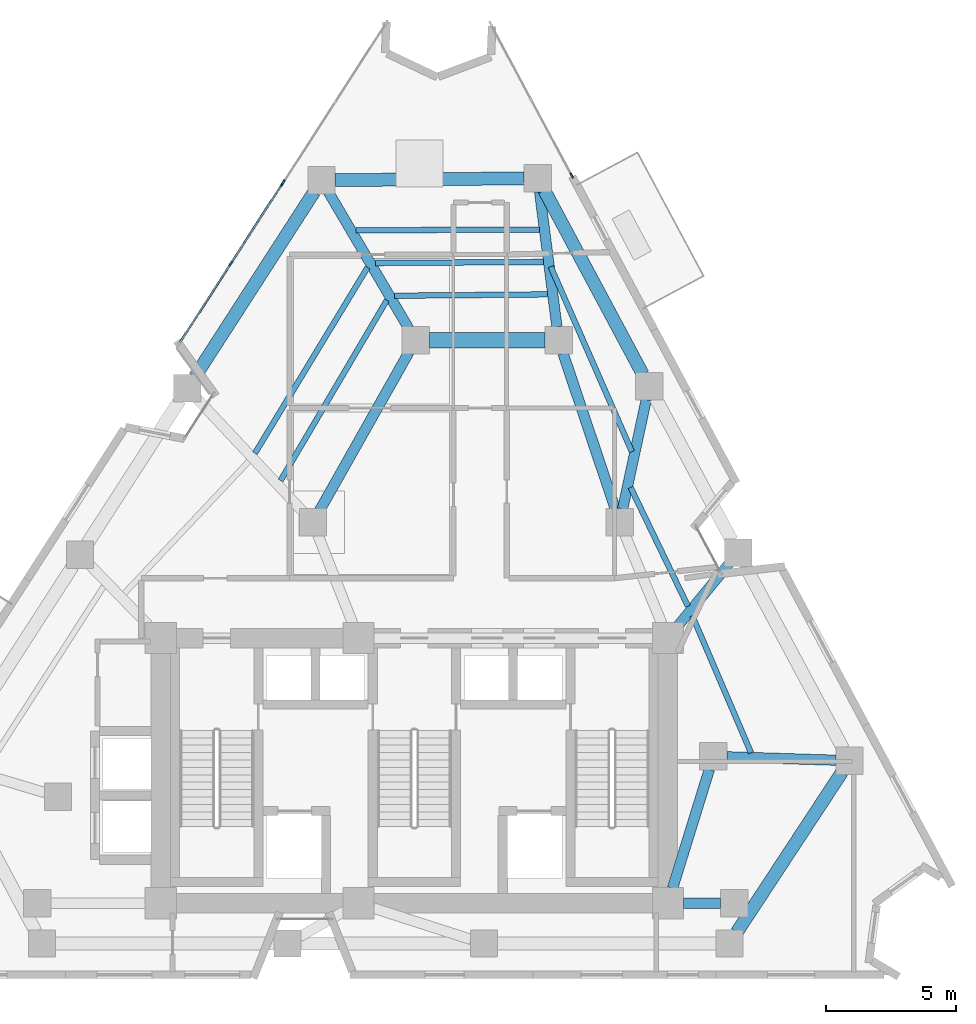
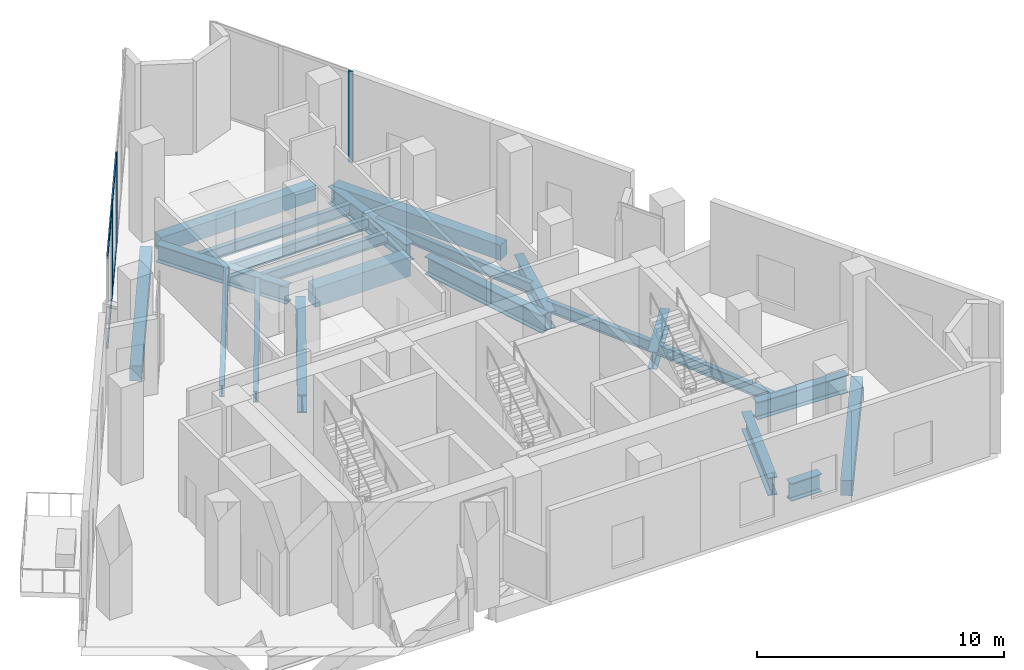
# One storey, part 3 of 10: 22 beams, 8 members, 3 elements without a shape of their own.
"""IFC4 building model written with IfcOpenShell, lengths in metres."""

from ifc_helpers import new_model, si_unit, direction, frame, origin, origin_2d, place, context, subcontext, project, spatial, rectangle, i_section, extrude, material, layer, layer_set, material_profile, profile_set, type_object, element, aggregate, save


model = new_model("IFC4")

# Units and contexts
model_context = context("Model", 3, precision=1e-05, world=origin(), true_north=direction((0.0, 1.0)))
body_context = subcontext(model_context, "Body", "Model", "MODEL_VIEW")
ifc_project = project(units=[si_unit("LENGTHUNIT", "METRE"), si_unit("AREAUNIT", "SQUARE_METRE"), si_unit("VOLUMEUNIT", "CUBIC_METRE"), si_unit("PLANEANGLEUNIT", "RADIAN"), si_unit("MASSUNIT", "GRAM", prefix="KILO")], contexts=[model_context])

# Site, building, storey
site_placement = place(None, origin())
site = spatial("IfcSite", under=ifc_project, at=site_placement, CompositionType="ELEMENT")
building_placement = place(site_placement, origin())
building = spatial("IfcBuilding", under=site, at=building_placement, Name="Almagre Mirador Tower", CompositionType="ELEMENT")
storey_placement = place(building_placement, frame((0.0, 0.0, 196.800048828125)))
storey = spatial("IfcBuildingStorey", under=building, at=storey_placement, Name="L51", CompositionType="ELEMENT", Elevation=196.800048828125)

# Beams
ifc_material_1 = material(Name="Steel ASTM A992 Grade 50", Category="steel")
ifc_material_profile_1 = material_profile(ifc_material_1, i_section(OverallWidth=0.214111328125, OverallDepth=0.549072265625, WebThickness=0.0146484375, FlangeThickness=0.023681640625, FilletRadius=0.01806640625, at=origin_2d()), Name="W21X93")
ifc_profile_set_1 = profile_set([ifc_material_profile_1], Name="Steel ASTM A992 Grade 50")
beam_type_1 = type_object("IfcBeamType", Name="BM-JST-W21X93", PredefinedType="JOIST", material=ifc_profile_set_1)
beam_1_placement = place(storey_placement, frame((50.250244140625, 10.3349609375, -0.574462890625), z_axis=(-0.394268360647, 0.918995353521, 0.0), x_axis=(-0.918995353521, -0.394268360647, 0.0)))
element("IfcBeam", 1, at=beam_1_placement, inside=storey, type_object=beam_type_1, Name="L51 secondary floor joist PC05-PC06.3", PredefinedType="JOIST", context=body_context, shape_type="SweptSolid", body=[
    extrude(i_section(OverallWidth=0.214111328125, OverallDepth=0.549072265625, WebThickness=0.0146484375, FlangeThickness=0.023681640625, FilletRadius=0.01806640625, at=origin_2d()), origin(), (0.0, 0.0, 1.0), 5.739501953125),
])
beam_2_placement = place(storey_placement, frame((47.822021484375, 15.97265625, -0.574462890625), z_axis=(-0.434740994788, 0.900555532686, 0.0), x_axis=(-0.900555532686, -0.434740994788, 0.0)))
element("IfcBeam", 2, at=beam_2_placement, inside=storey, type_object=beam_type_1, Name="L51 secondary floor joist PC06-PC07.3", PredefinedType="JOIST", context=body_context, shape_type="SweptSolid", body=[
    extrude(i_section(OverallWidth=0.214111328125, OverallDepth=0.549072265625, WebThickness=0.0146484375, FlangeThickness=0.023681640625, FilletRadius=0.01806640625, at=origin_2d()), origin(), (0.0, 0.0, 1.0), 5.075439453125),
])
beam_3_placement = place(storey_placement, frame((45.66650390625, 21.91552734375, -0.574462890625), z_axis=(-0.401924525643, 0.915672799469, 0.0), x_axis=(-0.915672799469, -0.401924525643, 0.0)))
element("IfcBeam", 3, at=beam_3_placement, inside=storey, type_object=beam_type_1, Name="L51 secondary floor joist PC07-PC08.2", PredefinedType="JOIST", context=body_context, shape_type="SweptSolid", body=[
    extrude(i_section(OverallWidth=0.214111328125, OverallDepth=0.549072265625, WebThickness=0.0146484375, FlangeThickness=0.023681640625, FilletRadius=0.01806640625, at=origin_2d()), origin(), (0.0, 0.0, 1.0), 7.770263671875),
])
beam_4_placement = place(storey_placement, frame((42.10400390625, 30.45849609375, -0.574462890625), z_axis=(-0.999991632659, -0.004090796071, 0.0), x_axis=(0.004090796071, -0.999991632659, 0.0)))
element("IfcBeam", 4, at=beam_4_placement, inside=storey, type_object=beam_type_1, Name="L51 secondary floor joist PC08-PC09.1", PredefinedType="JOIST", context=body_context, shape_type="SweptSolid", body=[
    extrude(i_section(OverallWidth=0.214111328125, OverallDepth=0.549072265625, WebThickness=0.0146484375, FlangeThickness=0.023681640625, FilletRadius=0.01806640625, at=origin_2d()), origin(), (0.0, 0.0, 1.0), 7.042236328125),
])
beam_5_placement = place(storey_placement, frame((42.263916015625, 29.2119140625, -0.574462890625), z_axis=(-0.999980331831, -0.006271837952, 0.0), x_axis=(0.006271837952, -0.999980331831, 0.0)))
element("IfcBeam", 5, at=beam_5_placement, inside=storey, type_object=beam_type_1, Name="L51 secondary floor joist PC08-PC09.2", PredefinedType="JOIST", context=body_context, shape_type="SweptSolid", body=[
    extrude(i_section(OverallWidth=0.214111328125, OverallDepth=0.549072265625, WebThickness=0.0146484375, FlangeThickness=0.023681640625, FilletRadius=0.01806640625, at=origin_2d()), origin(), (0.0, 0.0, 1.0), 6.4619140625),
])
beam_6_placement = place(storey_placement, frame((42.423828125, 27.965087890625, -0.574462890625), z_axis=(-0.999960909952, -0.008841864495, 0.0), x_axis=(0.008841864495, -0.999960909952, 0.0)))
element("IfcBeam", 6, at=beam_6_placement, inside=storey, type_object=beam_type_1, Name="L51 secondary floor joist PC08-PC09.3", PredefinedType="JOIST", context=body_context, shape_type="SweptSolid", body=[
    extrude(i_section(OverallWidth=0.214111328125, OverallDepth=0.549072265625, WebThickness=0.0146484375, FlangeThickness=0.023681640625, FilletRadius=0.01806640625, at=origin_2d()), origin(), (0.0, 0.0, 1.0), 5.88134765625),
])
beam_7_placement = place(storey_placement, frame((35.499267578125, 28.99951171875, -0.574462890625), z_axis=(-0.518248582566, -0.855230031435, 0.0), x_axis=(0.855230031435, -0.518248582566, 0.0)))
element("IfcBeam", 7, at=beam_7_placement, inside=storey, type_object=beam_type_1, Name="L51 secondary floor joist PC09-PC10.2", PredefinedType="JOIST", context=body_context, shape_type="SweptSolid", body=[
    extrude(i_section(OverallWidth=0.214111328125, OverallDepth=0.549072265625, WebThickness=0.0146484375, FlangeThickness=0.023681640625, FilletRadius=0.01806640625, at=origin_2d()), origin(), (0.0, 0.0, 1.0), 8.3505859375),
])
beam_8_placement = place(storey_placement, frame((36.241943359375, 27.739501953125, -0.574462890625), z_axis=(-0.507774337639, -0.861490117201, 0.0), x_axis=(0.861490117201, -0.507774337639, 0.0)))
element("IfcBeam", 8, at=beam_8_placement, inside=storey, type_object=beam_type_1, Name="L51 secondary floor joist PC09-PC10.3", PredefinedType="JOIST", context=body_context, shape_type="SweptSolid", body=[
    extrude(i_section(OverallWidth=0.214111328125, OverallDepth=0.549072265625, WebThickness=0.0146484375, FlangeThickness=0.023681640625, FilletRadius=0.01806640625, at=origin_2d()), origin(), (0.0, 0.0, 1.0), 8.047119140625),
])
ifc_material_2 = material(Name="Concrete C60/75", Category="concrete")
ifc_material_profile_2 = material_profile(ifc_material_2, rectangle(XDim=0.60009765625, YDim=0.949951171875, at=origin_2d()), Name="RC600X950")
ifc_profile_set_2 = profile_set([ifc_material_profile_2], Name="Concrete C60/75")
beam_type_2 = type_object("IfcBeamType", Name="BM-LIN-RC600X950", PredefinedType="LINTEL", material=ifc_profile_set_2)
beam_9_placement = place(storey_placement, frame((37.875, 26.199951171875, -0.775146484375), z_axis=(1.0, 0.0, 0.0), x_axis=(0.0, 1.0, 0.0)))
element("IfcBeam", 9, at=beam_9_placement, inside=storey, type_object=beam_type_2, Name="L51 coupled header lintel LN-01", PredefinedType="LINTEL", context=body_context, shape_type="SweptSolid", body=[
    extrude(rectangle(XDim=0.60009765625, YDim=0.949951171875, at=origin_2d()), origin(), (0.0, 0.0, 1.0), 4.449951171875),
])
ifc_material_3 = material(Name="Precast concrete C50/60", Category="concrete")
ifc_material_profile_3 = material_profile(ifc_material_3, rectangle(XDim=0.5, YDim=0.75, at=origin_2d()), Name="RC500X750")
ifc_profile_set_3 = profile_set([ifc_material_profile_3], Name="Precast concrete C50/60")
beam_type_3 = type_object("IfcBeamType", Name="BM-SPN-RC500X750", PredefinedType="SPANDREL", material=ifc_profile_set_3)
beam_10_placement = place(storey_placement, frame((49.7041015625, 3.43896484375, -0.675048828125), z_axis=(0.548818634592, 0.835941449101, 0.0), x_axis=(-0.835941449101, 0.548818634592, 0.0)))
element("IfcBeam", 10, at=beam_10_placement, inside=storey, type_object=beam_type_3, Name="L51 perimeter spandrel beam PC04-PC05", PredefinedType="SPANDREL", context=body_context, shape_type="SweptSolid", body=[
    extrude(rectangle(XDim=0.5, YDim=0.75, at=origin_2d()), origin(), (0.0, 0.0, 1.0), 7.364501953125),
])
beam_11_placement = place(storey_placement, frame((46.082275390625, 24.89697265625, -0.675048828125), z_axis=(-0.471728183201, 0.881744022477, 0.0), x_axis=(-0.881744022477, -0.471728183201, 0.0)))
element("IfcBeam", 11, at=beam_11_placement, inside=storey, type_object=beam_type_3, Name="L51 perimeter spandrel beam PC07-PC08", PredefinedType="SPANDREL", context=body_context, shape_type="SweptSolid", body=[
    extrude(rectangle(XDim=0.5, YDim=0.75, at=origin_2d()), origin(), (0.0, 0.0, 1.0), 8.02294921875),
])
beam_12_placement = place(storey_placement, frame((41.52490234375, 32.4287109375, -0.675048828125), z_axis=(-0.999948885843, -0.010110672667, 0.0), x_axis=(0.010110672667, -0.999948885843, 0.0)))
element("IfcBeam", 12, at=beam_12_placement, inside=storey, type_object=beam_type_3, Name="L51 perimeter spandrel beam PC08-PC09", PredefinedType="SPANDREL", context=body_context, shape_type="SweptSolid", body=[
    extrude(rectangle(XDim=0.5, YDim=0.75, at=origin_2d()), origin(), (0.0, 0.0, 1.0), 7.268310546875),
])
beam_13_placement = place(storey_placement, frame((33.447509765625, 31.90869140625, -0.675048828125), z_axis=(-0.542037572895, -0.840354252426, 0.0), x_axis=(0.840354252426, -0.542037572895, 0.0)))
element("IfcBeam", 13, at=beam_13_placement, inside=storey, type_object=beam_type_3, Name="L51 perimeter spandrel beam PC09-PC10", PredefinedType="SPANDREL", context=body_context, shape_type="SweptSolid", body=[
    extrude(rectangle(XDim=0.5, YDim=0.75, at=origin_2d()), origin(), (0.0, 0.0, 1.0), 8.469482421875),
])
ifc_material_4 = material(Name="Steel ASTM A992 Grade 50", Category="steel")
ifc_material_profile_4 = material_profile(ifc_material_4, i_section(OverallWidth=0.39892578125, OverallDepth=0.85595703125, WebThickness=0.018310546875, FlangeThickness=0.029296875, FilletRadius=0.02490234375, at=origin_2d()), Name="W33X201")
ifc_profile_set_4 = profile_set([ifc_material_profile_4], Name="Steel ASTM A992 Grade 50")
beam_type_4 = type_object("IfcBeamType", Name="BM-STL-W33X201", PredefinedType="BEAM", material=ifc_profile_set_4)
beam_14_placement = place(storey_placement, frame((53.50927734375, 10.050537109375, -0.72802734375), z_axis=(-0.999496710108, 0.031722649376, 0.0), x_axis=(-0.031722649376, -0.999496710108, 0.0)))
element("IfcBeam", 14, at=beam_14_placement, inside=storey, type_object=beam_type_4, Name="L51 radial floor girder PC05-MC3", PredefinedType="BEAM", context=body_context, shape_type="SweptSolid", body=[
    extrude(i_section(OverallWidth=0.39892578125, OverallDepth=0.85595703125, WebThickness=0.018310546875, FlangeThickness=0.029296875, FilletRadius=0.02490234375, at=origin_2d()), origin(), (0.0, 0.0, 1.0), 4.186767578125),
])
beam_15_placement = place(storey_placement, frame((49.42041015625, 17.628662109375, -0.72802734375), z_axis=(-0.635660759113, -0.771968522237, 0.0), x_axis=(0.771968522237, -0.635660759113, 0.0)))
element("IfcBeam", 15, at=beam_15_placement, inside=storey, type_object=beam_type_4, Name="L51 radial floor girder PC06-CC6", PredefinedType="BEAM", context=body_context, shape_type="SweptSolid", body=[
    extrude(i_section(OverallWidth=0.39892578125, OverallDepth=0.85595703125, WebThickness=0.018310546875, FlangeThickness=0.029296875, FilletRadius=0.02490234375, at=origin_2d()), origin(), (0.0, 0.0, 1.0), 3.129150390625),
])
beam_16_placement = place(storey_placement, frame((46.21923828125, 23.9208984375, -0.72802734375), z_axis=(-0.21103551524, -0.977478394292, 0.0), x_axis=(0.977478394292, -0.21103551524, 0.0)))
element("IfcBeam", 16, at=beam_16_placement, inside=storey, type_object=beam_type_4, Name="L51 radial floor girder PC07-MC5", PredefinedType="BEAM", context=body_context, shape_type="SweptSolid", body=[
    extrude(i_section(OverallWidth=0.39892578125, OverallDepth=0.85595703125, WebThickness=0.018310546875, FlangeThickness=0.029296875, FilletRadius=0.02490234375, at=origin_2d()), origin(), (0.0, 0.0, 1.0), 4.3046875),
])
beam_17_placement = place(storey_placement, frame((42.11669921875, 31.913330078125, -0.72802734375), z_axis=(0.127311366157, -0.99186280102, 0.0), x_axis=(0.99186280102, 0.127311366157, 0.0)))
element("IfcBeam", 17, at=beam_17_placement, inside=storey, type_object=beam_type_4, Name="L51 radial floor girder PC08-MC6", PredefinedType="BEAM", context=body_context, shape_type="SweptSolid", body=[
    extrude(i_section(OverallWidth=0.39892578125, OverallDepth=0.85595703125, WebThickness=0.018310546875, FlangeThickness=0.029296875, FilletRadius=0.02490234375, at=origin_2d()), origin(), (0.0, 0.0, 1.0), 5.235107421875),
])
beam_18_placement = place(storey_placement, frame((33.998291015625, 31.8974609375, -0.72802734375), z_axis=(0.507048179997, -0.861917712524, 0.0), x_axis=(0.861917712524, 0.507048179997, 0.0)))
element("IfcBeam", 18, at=beam_18_placement, inside=storey, type_object=beam_type_4, Name="L51 radial floor girder PC09-MC7", PredefinedType="BEAM", context=body_context, shape_type="SweptSolid", body=[
    extrude(i_section(OverallWidth=0.39892578125, OverallDepth=0.85595703125, WebThickness=0.018310546875, FlangeThickness=0.029296875, FilletRadius=0.02490234375, at=origin_2d()), origin(), (0.0, 0.0, 1.0), 6.085205078125),
])
ifc_material_5 = material(Name="Steel ASTM A992 Grade 50", Category="steel")
ifc_material_profile_5 = material_profile(ifc_material_5, i_section(OverallWidth=0.404052734375, OverallDepth=0.884033203125, WebThickness=0.0244140625, FlangeThickness=0.0439453125, FilletRadius=0.02490234375, at=origin_2d()), Name="W33X291")
ifc_profile_set_5 = profile_set([ifc_material_profile_5], Name="Steel ASTM A992 Grade 50")
beam_type_5 = type_object("IfcBeamType", Name="BM-STL-W33X291", PredefinedType="BEAM", material=ifc_profile_set_5)
beam_19_placement = place(storey_placement, frame((49.074951171875, 4.550048828125, -0.741943359375), z_axis=(-1.0, 0.0, 0.0), x_axis=(0.0, -1.0, 0.0)))
element("IfcBeam", 19, at=beam_19_placement, inside=storey, type_object=beam_type_5, Name="L51 core tie girder MC2-CC3", PredefinedType="BEAM", context=body_context, shape_type="SweptSolid", body=[
    extrude(i_section(OverallWidth=0.404052734375, OverallDepth=0.884033203125, WebThickness=0.0244140625, FlangeThickness=0.0439453125, FilletRadius=0.02490234375, at=origin_2d()), origin(), (0.0, 0.0, 1.0), 1.425048828125),
])
beam_20_placement = place(storey_placement, frame((48.644775390625, 9.698486328125, -0.741943359375), z_axis=(-0.295879743348, -0.955225197258, 0.0), x_axis=(0.955225197258, -0.295879743348, 0.0)))
element("IfcBeam", 20, at=beam_20_placement, inside=storey, type_object=beam_type_5, Name="L51 core tie girder MC3-CC3", PredefinedType="BEAM", context=body_context, shape_type="SweptSolid", body=[
    extrude(i_section(OverallWidth=0.404052734375, OverallDepth=0.884033203125, WebThickness=0.0244140625, FlangeThickness=0.0439453125, FilletRadius=0.02490234375, at=origin_2d()), origin(), (0.0, 0.0, 1.0), 4.789794921875),
])
beam_21_placement = place(storey_placement, frame((43.01708984375, 25.702392578125, -0.741943359375), z_axis=(0.318262189587, -0.948002731367, 0.0), x_axis=(0.948002731367, 0.318262189587, 0.0)))
element("IfcBeam", 21, at=beam_21_placement, inside=storey, type_object=beam_type_5, Name="L51 core tie girder MC6-MC5", PredefinedType="BEAM", context=body_context, shape_type="SweptSolid", body=[
    extrude(i_section(OverallWidth=0.404052734375, OverallDepth=0.884033203125, WebThickness=0.0244140625, FlangeThickness=0.0439453125, FilletRadius=0.02490234375, at=origin_2d()), origin(), (0.0, 0.0, 1.0), 6.333984375),
])
beam_22_placement = place(storey_placement, frame((37.092041015625, 25.742919921875, -0.741943359375), z_axis=(-0.491443510044, -0.870909453638, 0.0), x_axis=(0.870909453638, -0.491443510044, 0.0)))
element("IfcBeam", 22, at=beam_22_placement, inside=storey, type_object=beam_type_5, Name="L51 core tie girder MC7-MC8", PredefinedType="BEAM", context=body_context, shape_type="SweptSolid", body=[
    extrude(i_section(OverallWidth=0.404052734375, OverallDepth=0.884033203125, WebThickness=0.0244140625, FlangeThickness=0.0439453125, FilletRadius=0.02490234375, at=origin_2d()), origin(), (0.0, 0.0, 1.0), 6.98779296875),
])

# Curtain wall, members
ifc_material_6 = material(Name="Black anodized aluminium", Category="aluminium")
ifc_layer = layer(ifc_material_6, 0.22998046875)
ifc_layer_set = layer_set([ifc_layer], Name="Black anodized aluminium")
curtain_wall_type = type_object("IfcCurtainWallType", Name="CW-SKY-SYS", PredefinedType="NOTDEFINED", material=ifc_layer_set)
curtain_wall_1_placement = place(storey_placement, origin())
curtain_wall_1 = element("IfcCurtainWall", 23, at=curtain_wall_1_placement, inside=storey, type_object=curtain_wall_type, Name="L51 curtain wall run 02", PredefinedType="NOTDEFINED")
ifc_material_7 = material(Name="Black anodized aluminium", Category="aluminium")
ifc_material_profile_6 = material_profile(ifc_material_7, rectangle(XDim=0.070068359375, YDim=0.2099609375, at=origin_2d()), Name="CWM70X210")
ifc_profile_set_6 = profile_set([ifc_material_profile_6], Name="Black anodized aluminium")
member_type_1 = type_object("IfcMemberType", Name="MBR-CWM70X210", PredefinedType="MULLION", material=ifc_profile_set_6)
member_1_placement = place(storey_placement, frame((30.2431640625, 29.154052734375, 0.0), z_axis=(0.0, 0.0, 1.0), x_axis=(-0.840361480381, 0.542026366786, 0.0)))
member_1 = element("IfcMember", 24, at=member_1_placement, type_object=member_type_1, Name="CW-5 mullion 2", PredefinedType="MULLION", context=body_context, shape_type="SweptSolid", body=[
    extrude(rectangle(XDim=0.070068359375, YDim=0.2099609375, at=origin_2d()), origin(), (0.0, 0.0, 1.0), 4.5),
])
member_2_placement = place(storey_placement, frame((32.220458984375, 32.219482421875, 0.0), z_axis=(0.0, 0.0, 1.0), x_axis=(-0.840361480381, 0.542026366786, 0.0)))
member_2 = element("IfcMember", 25, at=member_2_placement, type_object=member_type_1, Name="CW-5 mullion 3", PredefinedType="MULLION", context=body_context, shape_type="SweptSolid", body=[
    extrude(rectangle(XDim=0.070068359375, YDim=0.2099609375, at=origin_2d()), origin(), (0.0, 0.0, 1.0), 4.5),
])

# Curtain wall, member
curtain_wall_2_placement = place(storey_placement, origin())
curtain_wall_2 = element("IfcCurtainWall", 26, at=curtain_wall_2_placement, inside=storey, type_object=curtain_wall_type, Name="L51 curtain wall run 03", PredefinedType="NOTDEFINED")
member_3_placement = place(storey_placement, frame((32.258544921875, 32.2783203125, 0.0), z_axis=(0.0, 0.0, 1.0), x_axis=(-0.840361480381, 0.542026366786, 0.0)))
member_3 = element("IfcMember", 27, at=member_3_placement, type_object=member_type_1, Name="CW-5 mullion 1", PredefinedType="MULLION", context=body_context, shape_type="SweptSolid", body=[
    extrude(rectangle(XDim=0.070068359375, YDim=0.2099609375, at=origin_2d()), origin(), (0.0, 0.0, 1.0), 4.5),
])
aggregate(curtain_wall_2, [member_3])

curtain_wall_3_placement = place(storey_placement, origin())
curtain_wall_3 = element("IfcCurtainWall", 28, at=curtain_wall_3_placement, inside=storey, type_object=curtain_wall_type, Name="L51 curtain wall run 04", PredefinedType="NOTDEFINED")
member_4_placement = place(storey_placement, frame((43.357421875, 32.533935546875, 0.0), z_axis=(0.0, 0.0, 1.0), x_axis=(0.881736738613, 0.471741797788, 0.0)))
member_4 = element("IfcMember", 29, at=member_4_placement, type_object=member_type_1, Name="CW-5 mullion 3", PredefinedType="MULLION", context=body_context, shape_type="SweptSolid", body=[
    extrude(rectangle(XDim=0.070068359375, YDim=0.2099609375, at=origin_2d()), origin(), (0.0, 0.0, 1.0), 4.5),
])
aggregate(curtain_wall_3, [member_4])

# Member
ifc_material_8 = material(Name="Black anodized aluminium", Category="aluminium")
ifc_material_profile_7 = material_profile(ifc_material_8, rectangle(XDim=0.06494140625, YDim=0.14990234375, at=origin_2d()), Name="CWT65X150")
ifc_profile_set_7 = profile_set([ifc_material_profile_7], Name="Black anodized aluminium")
member_type_2 = type_object("IfcMemberType", Name="MBR-CWT65X150", PredefinedType="USERDEFINED", material=ifc_profile_set_7)
member_5_placement = place(storey_placement, frame((28.284912109375, 26.117919921875, 0.032470703125), z_axis=(0.542070915676, 0.840332745035, 0.0), x_axis=(-0.840332745035, 0.542070915676, 0.0)))
member_5 = element("IfcMember", 30, at=member_5_placement, type_object=member_type_2, Name="CW-5 transom 1.1", ObjectType="TRANSOM", PredefinedType="USERDEFINED", context=body_context, shape_type="SweptSolid", body=[
    extrude(rectangle(XDim=0.06494140625, YDim=0.14990234375, at=origin_2d()), origin(), (0.0, 0.0, 1.0), 3.577880859375),
])

member_6_placement = place(storey_placement, frame((28.284912109375, 26.117919921875, 4.467529296875), z_axis=(0.542070915676, 0.840332745035, 0.0), x_axis=(-0.840332745035, 0.542070915676, 0.0)))
member_6 = element("IfcMember", 31, at=member_6_placement, type_object=member_type_2, Name="CW-5 transom 1.2", ObjectType="TRANSOM", PredefinedType="USERDEFINED", context=body_context, shape_type="SweptSolid", body=[
    extrude(rectangle(XDim=0.06494140625, YDim=0.14990234375, at=origin_2d()), origin(), (0.0, 0.0, 1.0), 3.577880859375),
])

member_7_placement = place(storey_placement, frame((30.26220703125, 29.183349609375, 0.032470703125), z_axis=(0.542039833992, 0.840352793989, 0.0), x_axis=(-0.840352793989, 0.542039833992, 0.0)))
member_7 = element("IfcMember", 32, at=member_7_placement, type_object=member_type_2, Name="CW-5 transom 2.1", ObjectType="TRANSOM", PredefinedType="USERDEFINED", context=body_context, shape_type="SweptSolid", body=[
    extrude(rectangle(XDim=0.06494140625, YDim=0.14990234375, at=origin_2d()), origin(), (0.0, 0.0, 1.0), 3.578125),
])

member_8_placement = place(storey_placement, frame((30.26220703125, 29.183349609375, 4.467529296875), z_axis=(0.542039833992, 0.840352793989, 0.0), x_axis=(-0.840352793989, 0.542039833992, 0.0)))
member_8 = element("IfcMember", 33, at=member_8_placement, type_object=member_type_2, Name="CW-5 transom 2.2", ObjectType="TRANSOM", PredefinedType="USERDEFINED", context=body_context, shape_type="SweptSolid", body=[
    extrude(rectangle(XDim=0.06494140625, YDim=0.14990234375, at=origin_2d()), origin(), (0.0, 0.0, 1.0), 3.578125),
])

aggregate(curtain_wall_1, [member_1, member_2, member_5, member_6, member_7, member_8])

save(model, "model.ifc")
